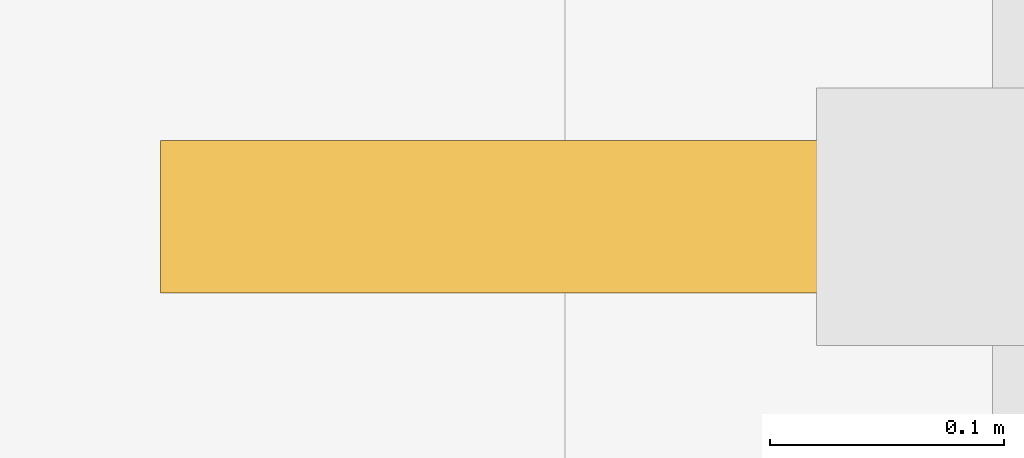
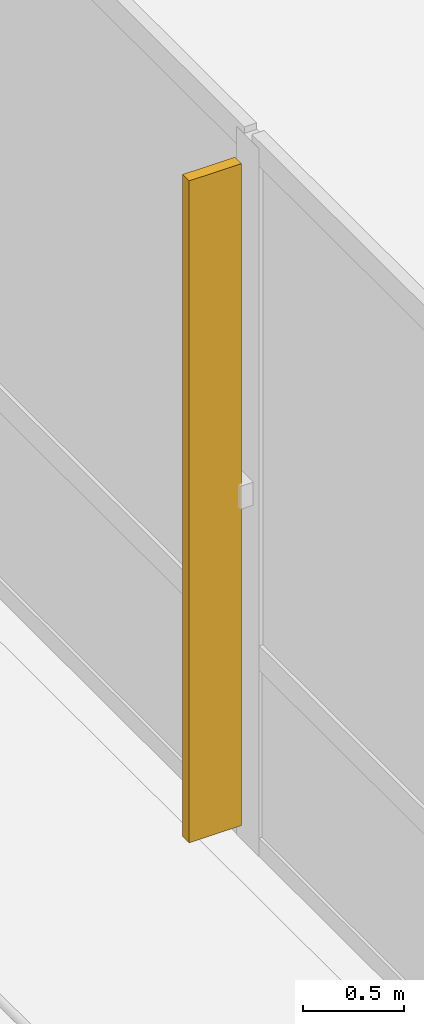
# One storey, part 22 of 26: 1 shading device.
"""IFC4 building model written with IfcOpenShell, lengths in metres."""

from ifc_helpers import new_model, si_unit, direction, frame, origin, place, context, subcontext, project, spatial, polyline, outline, extrude, material, layer, layer_set, type_object, element, save


model = new_model("IFC4")

# Units and contexts
model_context = context("Model", 3, precision=1e-05, world=origin(), true_north=direction((0.0, 1.0)))
body_context = subcontext(model_context, "Body", "Model", "MODEL_VIEW")
ifc_project = project(units=[si_unit("LENGTHUNIT", "METRE"), si_unit("AREAUNIT", "SQUARE_METRE"), si_unit("VOLUMEUNIT", "CUBIC_METRE"), si_unit("PLANEANGLEUNIT", "RADIAN"), si_unit("MASSUNIT", "GRAM", prefix="KILO")], contexts=[model_context])

# Site, building, storey
site_placement = place(None, origin())
site = spatial("IfcSite", under=ifc_project, at=site_placement, CompositionType="ELEMENT")
building_placement = place(site_placement, origin())
building = spatial("IfcBuilding", under=site, at=building_placement, Name="Qalmaran Belvedere Hotel", CompositionType="ELEMENT")
storey_placement = place(building_placement, frame((0.0, 0.0, 19.199951171875)))
storey = spatial("IfcBuildingStorey", under=building, at=storey_placement, Name="L04", CompositionType="ELEMENT", Elevation=19.199951171875)

# Shading device
ifc_material = material(Name="Anodised Bronze Aluminium", Category="aluminium")
ifc_layer = layer(ifc_material, 0.06494140625, Name="Anodised Bronze Aluminium")
ifc_layer_set = layer_set([ifc_layer], Name="Anodised Bronze Aluminium")
shading_device_type = type_object("IfcShadingDeviceType", Name="FIN-BRNZ-300", PredefinedType="USERDEFINED", material=ifc_layer_set)
shading_device_placement = place(storey_placement, frame((0.0, 0.0, 0.16015625)))
element("IfcShadingDevice", 1, at=shading_device_placement, inside=storey, type_object=shading_device_type, Name="L04 Bronze Fin 1", ObjectType="FIN", PredefinedType="USERDEFINED", context=body_context, shape_type="SweptSolid", body=[
    extrude(outline(polyline([(6.12744140625, 39.720458984375), (5.827392578125, 39.720458984375), (5.827392578125, 39.655517578125), (6.12744140625, 39.655517578125), (6.12744140625, 39.720458984375)])), origin(), (0.0, 0.0, 1.0), 4.019775390625),
])

save(model, "model.ifc")
